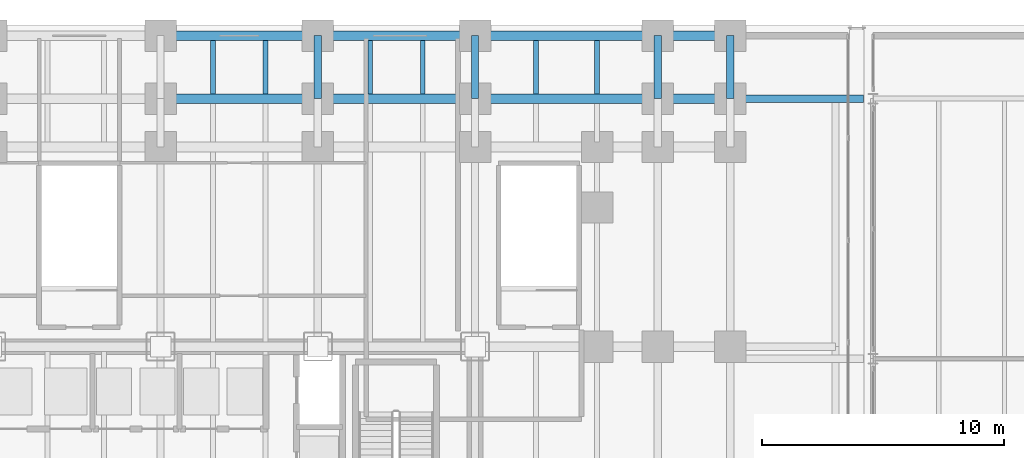
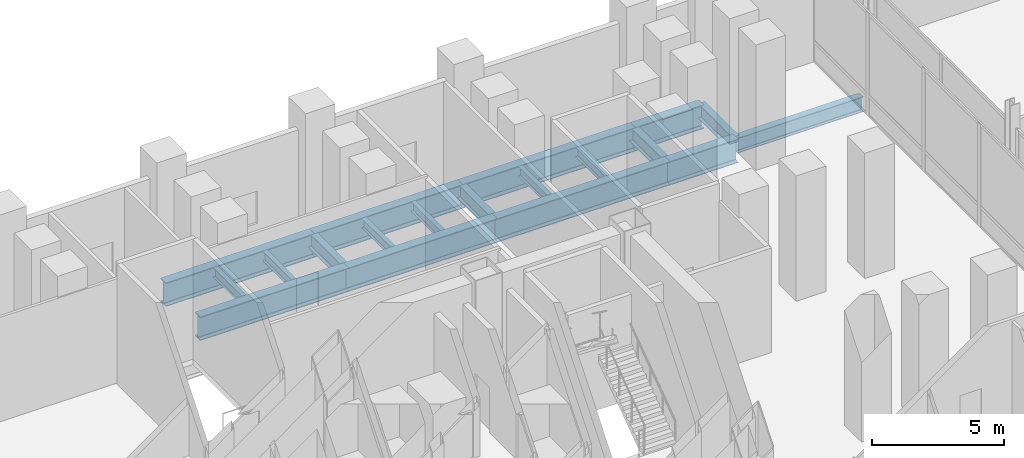
# One storey, part 19 of 36: 19 beams.
"""IFC4 building model written with IfcOpenShell, lengths in metres."""

from ifc_helpers import new_model, si_unit, direction, frame, origin, origin_2d, place, context, subcontext, project, spatial, i_section, extrude, material, material_profile, profile_set, type_object, element, save


model = new_model("IFC4")

# Units and contexts
model_context = context("Model", 3, precision=1e-05, world=origin(), true_north=direction((0.0, 1.0)))
body_context = subcontext(model_context, "Body", "Model", "MODEL_VIEW")
ifc_project = project(units=[si_unit("LENGTHUNIT", "METRE"), si_unit("AREAUNIT", "SQUARE_METRE"), si_unit("VOLUMEUNIT", "CUBIC_METRE"), si_unit("PLANEANGLEUNIT", "RADIAN"), si_unit("MASSUNIT", "GRAM", prefix="KILO")], contexts=[model_context])

# Site, building, storey
site_placement = place(None, origin())
site = spatial("IfcSite", under=ifc_project, at=site_placement, CompositionType="ELEMENT")
building_placement = place(site_placement, origin())
building = spatial("IfcBuilding", under=site, at=building_placement, Name="Noeulbin Bourse Tower", CompositionType="ELEMENT")
storey_placement = place(building_placement, origin())
storey = spatial("IfcBuildingStorey", under=building, at=storey_placement, Name="L01", CompositionType="ELEMENT", Elevation=0.0)

# Beams
ifc_material_1 = material(Name="Steel S355", Category="steel")
ifc_material_profile_1 = material_profile(ifc_material_1, i_section(OverallWidth=0.300048828125, OverallDepth=0.699951171875, WebThickness=0.012939453125, FlangeThickness=0.02392578125, FilletRadius=0.02392578125, at=origin_2d()), Name="H-700x300x13x24", Category="LoadBearing")
ifc_profile_set_1 = profile_set([ifc_material_profile_1], Name="Steel S355")
beam_type_1 = type_object("IfcBeamType", Name="BM-GRD-700", PredefinedType="USERDEFINED", material=ifc_profile_set_1)
for number, where, z_axis, x_axis, name in (
    (1, (37.5, 48.550048828125, -0.60009765625), (0.0, 1.0, 0.0), (-1.0, 0.0, 0.0), "Podium Primary Girder NS L01-115"),
    (2, (44.0, 48.550048828125, -0.60009765625), (0.0, 1.0, 0.0), (-1.0, 0.0, 0.0), "Podium Primary Girder NS L01-123"),
    (3, (51.550048828125, 48.550048828125, -0.60009765625), (0.0, 1.0, 0.0), (-1.0, 0.0, 0.0), "Podium Primary Girder NS L01-131"),
    (4, (54.550048828125, 48.550048828125, -0.60009765625), (0.0, 1.0, 0.0), (-1.0, 0.0, 0.0), "Podium Primary Girder NS L01-139"),
):
    element("IfcBeam", number, at=place(storey_placement, frame(where, z_axis=z_axis, x_axis=x_axis)), inside=storey, type_object=beam_type_1, Name=name, ObjectType="GIRDER", PredefinedType="USERDEFINED", context=body_context, shape_type="SweptSolid", body=[
        extrude(i_section(OverallWidth=0.300048828125, OverallDepth=0.699951171875, WebThickness=0.012939453125, FlangeThickness=0.02392578125, FilletRadius=0.02392578125, at=origin_2d()), origin(), (0.0, 0.0, 1.0), 2.599853515625),
    ])
beam_1_placement = place(storey_placement, frame((54.550048828125, 48.550048828125, -0.60009765625), z_axis=(1.0, 0.0, 0.0), x_axis=(0.0, 1.0, 0.0)))
element("IfcBeam", 5, at=beam_1_placement, inside=storey, type_object=beam_type_1, Name="Concourse Slot Girder L01-05", ObjectType="GIRDER", PredefinedType="USERDEFINED", context=body_context, shape_type="SweptSolid", body=[
    extrude(i_section(OverallWidth=0.300048828125, OverallDepth=0.699951171875, WebThickness=0.012939453125, FlangeThickness=0.02392578125, FilletRadius=0.02392578125, at=origin_2d()), origin(), (0.0, 0.0, 1.0), 5.5),
])
ifc_material_profile_2 = material_profile(ifc_material_1, i_section(OverallWidth=0.199951171875, OverallDepth=0.449951171875, WebThickness=0.009033203125, FlangeThickness=0.013916015625, FilletRadius=0.01806640625, at=origin_2d()), Name="H-450x200x9x14", Category="LoadBearing")
ifc_profile_set_2 = profile_set([ifc_material_profile_2], Name="Steel S355")
beam_type_2 = type_object("IfcBeamType", Name="BM-SEC-450", PredefinedType="BEAM", material=ifc_profile_set_2)
for number, where, z_axis, x_axis, name in (
    (6, (33.166748046875, 48.75, -0.47509765625), (0.0, 1.0, 0.0), (-1.0, 0.0, 0.0), "Podium Secondary Beam L01-069"),
    (7, (35.333251953125, 48.75, -0.47509765625), (0.0, 1.0, 0.0), (-1.0, 0.0, 0.0), "Podium Secondary Beam L01-076"),
    (8, (39.666748046875, 48.75, -0.47509765625), (0.0, 1.0, 0.0), (-1.0, 0.0, 0.0), "Podium Secondary Beam L01-083"),
    (9, (41.833251953125, 48.75, -0.47509765625), (0.0, 1.0, 0.0), (-1.0, 0.0, 0.0), "Podium Secondary Beam L01-090"),
    (10, (46.5166015625, 48.75, -0.47509765625), (0.0, 1.0, 0.0), (-1.0, 0.0, 0.0), "Podium Secondary Beam L01-097"),
    (11, (49.033203125, 48.75, -0.47509765625), (0.0, 1.0, 0.0), (-1.0, 0.0, 0.0), "Podium Secondary Beam L01-105"),
):
    element("IfcBeam", number, at=place(storey_placement, frame(where, z_axis=z_axis, x_axis=x_axis)), inside=storey, type_object=beam_type_2, Name=name, PredefinedType="BEAM", context=body_context, shape_type="SweptSolid", body=[
        extrude(i_section(OverallWidth=0.199951171875, OverallDepth=0.449951171875, WebThickness=0.009033203125, FlangeThickness=0.013916015625, FilletRadius=0.01806640625, at=origin_2d()), origin(), (0.0, 0.0, 1.0), 2.199951171875),
    ])
ifc_material_2 = material(Name="Steel S460", Category="steel")
ifc_material_profile_3 = material_profile(ifc_material_2, i_section(OverallWidth=0.39990234375, OverallDepth=1.10009765625, WebThickness=0.02001953125, FlangeThickness=0.035888671875, FilletRadius=0.02392578125, at=origin_2d()), Name="PG-1100x400x20x36", Category="LoadBearing")
ifc_profile_set_3 = profile_set([ifc_material_profile_3], Name="Steel S460")
beam_type_3 = type_object("IfcBeamType", Name="BM-TRF-1100", PredefinedType="USERDEFINED", material=ifc_profile_set_3)
for number, where, z_axis, x_axis, name in (
    (12, (31.0, 48.550048828125, -0.800048828125), (1.0, 0.0, 0.0), (0.0, 1.0, 0.0), "Podium Primary Girder EW L01-061"),
    (13, (37.5, 48.550048828125, -0.800048828125), (1.0, 0.0, 0.0), (0.0, 1.0, 0.0), "Podium Primary Girder EW L01-062"),
):
    element("IfcBeam", number, at=place(storey_placement, frame(where, z_axis=z_axis, x_axis=x_axis)), inside=storey, type_object=beam_type_3, Name=name, ObjectType="GIRDER", PredefinedType="USERDEFINED", context=body_context, shape_type="SweptSolid", body=[
        extrude(i_section(OverallWidth=0.39990234375, OverallDepth=1.10009765625, WebThickness=0.02001953125, FlangeThickness=0.035888671875, FilletRadius=0.02392578125, at=origin_2d()), origin(), (0.0, 0.0, 1.0), 6.5),
    ])
beam_2_placement = place(storey_placement, frame((44.0, 48.550048828125, -0.800048828125), z_axis=(1.0, 0.0, 0.0), x_axis=(0.0, 1.0, 0.0)))
element("IfcBeam", 14, at=beam_2_placement, inside=storey, type_object=beam_type_3, Name="Podium Primary Girder EW L01-063", ObjectType="GIRDER", PredefinedType="USERDEFINED", context=body_context, shape_type="SweptSolid", body=[
    extrude(i_section(OverallWidth=0.39990234375, OverallDepth=1.10009765625, WebThickness=0.02001953125, FlangeThickness=0.035888671875, FilletRadius=0.02392578125, at=origin_2d()), origin(), (0.0, 0.0, 1.0), 7.550048828125),
])
beam_3_placement = place(storey_placement, frame((51.550048828125, 48.550048828125, -0.800048828125), z_axis=(1.0, 0.0, 0.0), x_axis=(0.0, 1.0, 0.0)))
element("IfcBeam", 15, at=beam_3_placement, inside=storey, type_object=beam_type_3, Name="Podium Primary Girder EW L01-064", ObjectType="GIRDER", PredefinedType="USERDEFINED", context=body_context, shape_type="SweptSolid", body=[
    extrude(i_section(OverallWidth=0.39990234375, OverallDepth=1.10009765625, WebThickness=0.02001953125, FlangeThickness=0.035888671875, FilletRadius=0.02392578125, at=origin_2d()), origin(), (0.0, 0.0, 1.0), 3.0),
])
for number, where, z_axis, x_axis, name in (
    (16, (31.0, 51.14990234375, -0.800048828125), (1.0, 0.0, 0.0), (0.0, 1.0, 0.0), "Podium Primary Girder EW L01-069"),
    (17, (37.5, 51.14990234375, -0.800048828125), (1.0, 0.0, 0.0), (0.0, 1.0, 0.0), "Podium Primary Girder EW L01-070"),
):
    element("IfcBeam", number, at=place(storey_placement, frame(where, z_axis=z_axis, x_axis=x_axis)), inside=storey, type_object=beam_type_3, Name=name, ObjectType="GIRDER", PredefinedType="USERDEFINED", context=body_context, shape_type="SweptSolid", body=[
        extrude(i_section(OverallWidth=0.39990234375, OverallDepth=1.10009765625, WebThickness=0.02001953125, FlangeThickness=0.035888671875, FilletRadius=0.02392578125, at=origin_2d()), origin(), (0.0, 0.0, 1.0), 6.5),
    ])
beam_4_placement = place(storey_placement, frame((44.0, 51.14990234375, -0.800048828125), z_axis=(1.0, 0.0, 0.0), x_axis=(0.0, 1.0, 0.0)))
element("IfcBeam", 18, at=beam_4_placement, inside=storey, type_object=beam_type_3, Name="Podium Primary Girder EW L01-071", ObjectType="GIRDER", PredefinedType="USERDEFINED", context=body_context, shape_type="SweptSolid", body=[
    extrude(i_section(OverallWidth=0.39990234375, OverallDepth=1.10009765625, WebThickness=0.02001953125, FlangeThickness=0.035888671875, FilletRadius=0.02392578125, at=origin_2d()), origin(), (0.0, 0.0, 1.0), 7.550048828125),
])
beam_5_placement = place(storey_placement, frame((51.550048828125, 51.14990234375, -0.800048828125), z_axis=(1.0, 0.0, 0.0), x_axis=(0.0, 1.0, 0.0)))
element("IfcBeam", 19, at=beam_5_placement, inside=storey, type_object=beam_type_3, Name="Podium Primary Girder EW L01-072", ObjectType="GIRDER", PredefinedType="USERDEFINED", context=body_context, shape_type="SweptSolid", body=[
    extrude(i_section(OverallWidth=0.39990234375, OverallDepth=1.10009765625, WebThickness=0.02001953125, FlangeThickness=0.035888671875, FilletRadius=0.02392578125, at=origin_2d()), origin(), (0.0, 0.0, 1.0), 3.0),
])

save(model, "model.ifc")
